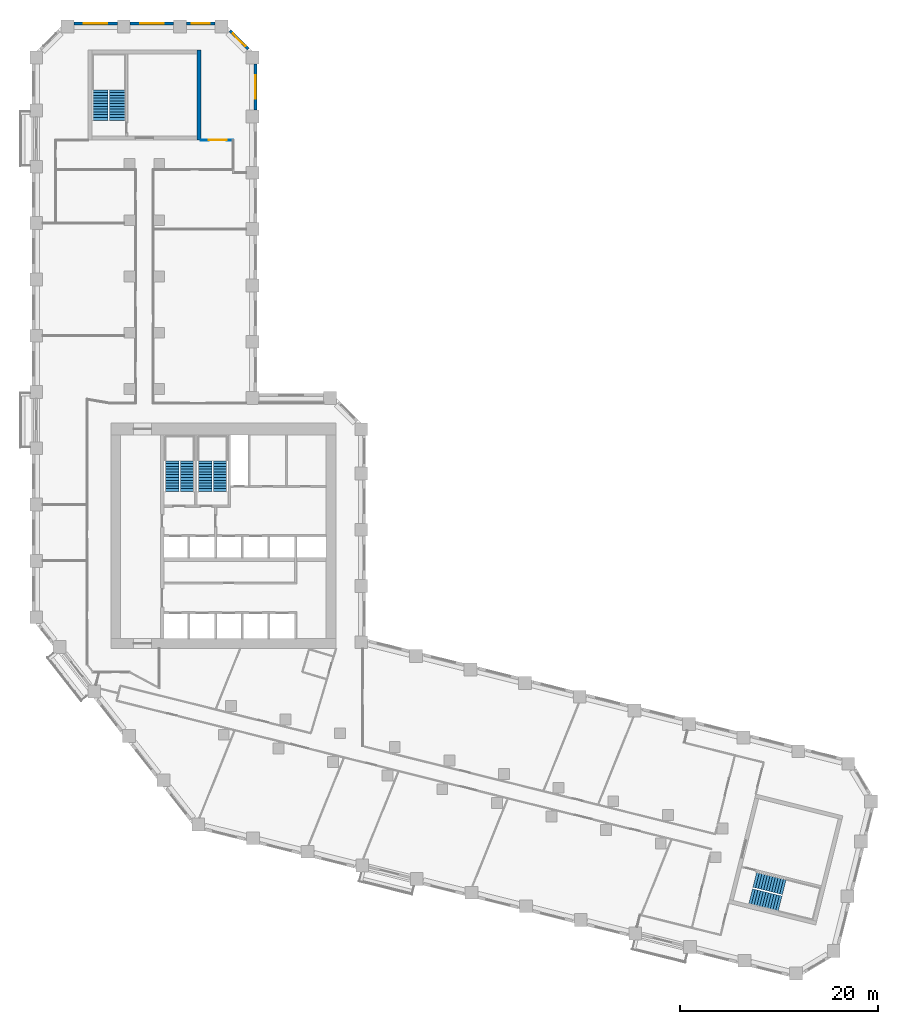
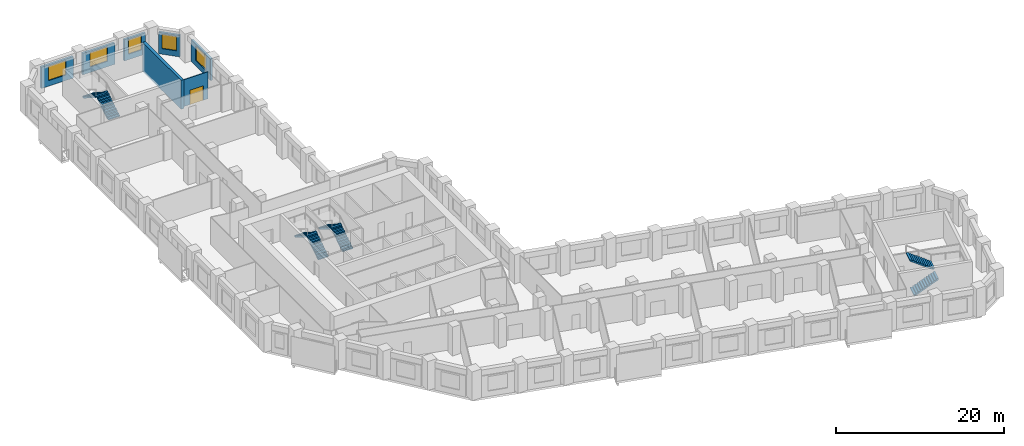
# One storey, part 9 of 10: 8 stair flights, 7 walls, 5 windows, 1 door, 6 openings, 4 elements without a shape of their own.
"""IFC4 building model written with IfcOpenShell, lengths in metres."""

from ifc_helpers import new_model, si_unit, direction, frame, frame_2d, origin, place, context, subcontext, project, spatial, polyline, rectangle, outline, extrude, material, layer, layer_set, type_object, element, fill, aggregate, save


model = new_model("IFC4")

# Units and contexts
model_context = context("Model", 3, precision=1e-05, world=origin(), true_north=direction((0.0, 1.0)))
body_context = subcontext(model_context, "Body", "Model", "MODEL_VIEW")
ifc_project = project(units=[si_unit("LENGTHUNIT", "METRE"), si_unit("AREAUNIT", "SQUARE_METRE"), si_unit("VOLUMEUNIT", "CUBIC_METRE"), si_unit("PLANEANGLEUNIT", "RADIAN"), si_unit("MASSUNIT", "GRAM", prefix="KILO")], contexts=[model_context])

# Site, building, storey
site_placement = place(None, origin())
site = spatial("IfcSite", under=ifc_project, at=site_placement, CompositionType="ELEMENT")
building_placement = place(site_placement, origin())
building = spatial("IfcBuilding", under=site, at=building_placement, Name="Meshkara Civic Tower", CompositionType="ELEMENT")
storey_placement = place(building_placement, frame((0.0, 0.0, 126.60009765625)))
storey = spatial("IfcBuildingStorey", under=building, at=storey_placement, Name="L28", CompositionType="ELEMENT", Elevation=126.60009765625)

# Wall, opening, door
ifc_material_1 = material(Name="Corridor wall 100")
ifc_layer_1 = layer(ifc_material_1, 0.10009765625)
ifc_layer_set_1 = layer_set([ifc_layer_1], Name="Corridor wall 100")
wall_type_1 = type_object("IfcWallType", Name="Corridor wall 100", PredefinedType="PARTITIONING", material=ifc_layer_set_1)
wall_1_placement = place(storey_placement, frame((20.39990234375, 65.570068359375, 0.0), z_axis=(0.0, 0.0, 1.0), x_axis=(-1.0, 0.0, 0.0)))
wall_1 = element("IfcWall", 1, at=wall_1_placement, inside=storey, type_object=wall_type_1, Name="L28-W018", PredefinedType="PARTITIONING", context=body_context, shape_type="SweptSolid", body=[
    extrude(rectangle(XDim=3.2998046875, YDim=0.10009765625, at=frame_2d((1.64990234375, 0.0))), origin(), (0.0, 0.0, 1.0), 3.89990234375),
])
opening_1_placement = place(wall_1_placement, frame((0.679931640625, 0.0, 0.0)))
opening_1 = element("IfcOpeningElement", 2, at=opening_1_placement, cuts=wall_1, Name="Opening L28-D026", PredefinedType="OPENING", context=body_context, shape_type="SweptSolid", body=[
    extrude(rectangle(XDim=1.800048828125, YDim=2.10009765625, at=frame_2d((0.89990234375, 1.050048828125))), frame((0.0, 0.06005859375, 0.0), z_axis=(0.0, -1.0, 0.0), x_axis=(1.0, 0.0, 0.0)), (0.0, 0.0, 1.0), 0.1201171875),
])
ifc_material_2 = material(Name="Door pair 1800 x 2100")
door_type = type_object("IfcDoorType", Name="Door pair 1800 x 2100", OperationType="SINGLE_SWING_LEFT", PredefinedType="DOOR", material=ifc_material_2)
door_placement = place(opening_1_placement, origin())
door = element("IfcDoor", 3, at=door_placement, inside=storey, type_object=door_type, Name="L28-D026", OperationType="DOUBLE_DOOR_SINGLE_SWING", OverallHeight=2.10009765625, OverallWidth=1.800048828125, PredefinedType="DOOR", context=body_context, shape_type="SweptSolid", body=[
    extrude(rectangle(XDim=1.800048828125, YDim=2.10009765625, at=frame_2d((0.89990234375, 1.050048828125))), frame((0.0, 0.02490234375, 0.0), z_axis=(0.0, -1.0, 0.0), x_axis=(1.0, 0.0, 0.0)), (0.0, 0.0, 1.0), 0.050048828125),
])
fill(opening_1, door)

# Wall, opening, window
ifc_material_3 = material(Name="Insulated infill panel with bronze anodised aluminium cladding", Category="aluminium")
ifc_layer_2 = layer(ifc_material_3, 0.300048828125)
ifc_layer_set_2 = layer_set([ifc_layer_2], Name="EXTERNAL INFILL WALL 300")
wall_type_2 = type_object("IfcWallType", Name="EXTERNAL INFILL WALL 300", PredefinedType="SOLIDWALL", material=ifc_layer_set_2)
wall_2_placement = place(storey_placement, frame((22.64990234375, 68.60009765625, 0.0), z_axis=(0.0, 0.0, 1.0), x_axis=(0.0, 1.0, 0.0)))
wall_2 = element("IfcWall", 4, at=wall_2_placement, inside=storey, type_object=wall_type_2, Name="External wall", PredefinedType="SOLIDWALL", context=body_context, shape_type="SweptSolid", body=[
    extrude(rectangle(XDim=4.663818359375, YDim=0.300048828125, at=frame_2d((2.33203125, 0.0))), origin(), (0.0, 0.0, 1.0), 3.099853515625),
])
opening_2_placement = place(wall_2_placement, frame((1.132080078125, 0.0, 0.800048828125)))
opening_2 = element("IfcOpeningElement", 5, at=opening_2_placement, cuts=wall_2, Name="Opening W7", PredefinedType="OPENING", context=body_context, shape_type="SweptSolid", body=[
    extrude(rectangle(XDim=2.39990234375, YDim=2.10009765625, at=frame_2d((1.199951171875, 1.050048828125))), frame((0.0, 0.159912109375, 0.0), z_axis=(0.0, -1.0, 0.0), x_axis=(1.0, 0.0, 0.0)), (0.0, 0.0, 1.0), 0.320068359375),
])
ifc_material_4 = material(Name="Tinted double glazing", Category="glass")
window_type_1 = type_object("IfcWindowType", Name="WINDOW 2400x2100", PartitioningType="DOUBLE_PANEL_VERTICAL", PredefinedType="WINDOW", material=ifc_material_4)
window_1_placement = place(opening_2_placement, origin())
window_1 = element("IfcWindow", 6, at=window_1_placement, inside=storey, type_object=window_type_1, Name="Window", OverallHeight=2.10009765625, OverallWidth=2.39990234375, PartitioningType="DOUBLE_PANEL_VERTICAL", PredefinedType="WINDOW", context=body_context, shape_type="SweptSolid", body=[
    extrude(rectangle(XDim=2.39990234375, YDim=2.10009765625, at=frame_2d((1.199951171875, 1.050048828125))), frame((0.0, 0.030029296875, 0.0), z_axis=(0.0, -1.0, 0.0), x_axis=(1.0, 0.0, 0.0)), (0.0, 0.0, 1.0), 0.06005859375),
])
fill(opening_2, window_1)

wall_3_placement = place(storey_placement, frame((21.912109375, 74.77587890625, 0.0), z_axis=(0.0, 0.0, 1.0), x_axis=(-0.707106781187, 0.707106781187, 0.0)))
wall_3 = element("IfcWall", 7, at=wall_3_placement, inside=storey, type_object=wall_type_2, Name="External wall", PredefinedType="SOLIDWALL", context=body_context, shape_type="SweptSolid", body=[
    extrude(rectangle(XDim=2.625, YDim=0.300048828125, at=frame_2d((1.3125, 0.0))), origin(), (0.0, 0.0, 1.0), 3.099853515625),
])
opening_3_placement = place(wall_3_placement, frame((0.412109375, 0.0, 0.800048828125)))
opening_3 = element("IfcOpeningElement", 8, at=opening_3_placement, cuts=wall_3, Name="Opening W9", PredefinedType="OPENING", context=body_context, shape_type="SweptSolid", body=[
    extrude(rectangle(XDim=1.800048828125, YDim=2.10009765625, at=frame_2d((0.89990234375, 1.050048828125))), frame((0.0, 0.159912109375, 0.0), z_axis=(0.0, -1.0, 0.0), x_axis=(1.0, 0.0, 0.0)), (0.0, 0.0, 1.0), 0.320068359375),
])
ifc_material_5 = material(Name="Tinted double glazing", Category="glass")
window_type_2 = type_object("IfcWindowType", Name="WINDOW 1800x2100", PartitioningType="DOUBLE_PANEL_VERTICAL", PredefinedType="WINDOW", material=ifc_material_5)
window_2_placement = place(opening_3_placement, origin())
window_2 = element("IfcWindow", 9, at=window_2_placement, inside=storey, type_object=window_type_2, Name="Window", OverallHeight=2.10009765625, OverallWidth=1.800048828125, PartitioningType="DOUBLE_PANEL_VERTICAL", PredefinedType="WINDOW", context=body_context, shape_type="SweptSolid", body=[
    extrude(rectangle(XDim=1.800048828125, YDim=2.10009765625, at=frame_2d((0.89990234375, 1.050048828125))), frame((0.0, 0.030029296875, 0.0), z_axis=(0.0, -1.0, 0.0), x_axis=(1.0, 0.0, 0.0)), (0.0, 0.0, 1.0), 0.06005859375),
])
fill(opening_3, window_2)

wall_4_placement = place(storey_placement, frame((18.5439453125, 77.3701171875, 0.0), z_axis=(0.0, 0.0, 1.0), x_axis=(-1.0, 0.0, 0.0)))
wall_4 = element("IfcWall", 10, at=wall_4_placement, inside=storey, type_object=wall_type_2, Name="External wall", PredefinedType="SOLIDWALL", context=body_context, shape_type="SweptSolid", body=[
    extrude(rectangle(XDim=2.887939453125, YDim=0.300048828125, at=frame_2d((1.44384765625, 0.0))), origin(), (0.0, 0.0, 1.0), 3.099853515625),
])
opening_4_placement = place(wall_4_placement, frame((0.5439453125, 0.0, 0.800048828125)))
opening_4 = element("IfcOpeningElement", 11, at=opening_4_placement, cuts=wall_4, Name="Opening W9", PredefinedType="OPENING", context=body_context, shape_type="SweptSolid", body=[
    extrude(rectangle(XDim=1.800048828125, YDim=2.10009765625, at=frame_2d((0.89990234375, 1.050048828125))), frame((0.0, 0.159912109375, 0.0), z_axis=(0.0, -1.0, 0.0), x_axis=(1.0, 0.0, 0.0)), (0.0, 0.0, 1.0), 0.320068359375),
])
window_3_placement = place(opening_4_placement, origin())
window_3 = element("IfcWindow", 12, at=window_3_placement, inside=storey, type_object=window_type_2, Name="Window", OverallHeight=2.10009765625, OverallWidth=1.800048828125, PartitioningType="DOUBLE_PANEL_VERTICAL", PredefinedType="WINDOW", context=body_context, shape_type="SweptSolid", body=[
    extrude(rectangle(XDim=1.800048828125, YDim=2.10009765625, at=frame_2d((0.89990234375, 1.050048828125))), frame((0.0, 0.030029296875, 0.0), z_axis=(0.0, -1.0, 0.0), x_axis=(1.0, 0.0, 0.0)), (0.0, 0.0, 1.0), 0.06005859375),
])
fill(opening_4, window_3)

wall_5_placement = place(storey_placement, frame((14.35595703125, 77.3701171875, 0.0), z_axis=(0.0, 0.0, 1.0), x_axis=(-1.0, 0.0, 0.0)))
wall_5 = element("IfcWall", 13, at=wall_5_placement, inside=storey, type_object=wall_type_2, Name="External wall", PredefinedType="SOLIDWALL", context=body_context, shape_type="SweptSolid", body=[
    extrude(rectangle(XDim=4.39990234375, YDim=0.300048828125, at=frame_2d((2.199951171875, 0.0))), origin(), (0.0, 0.0, 1.0), 3.099853515625),
])
opening_5_placement = place(wall_5_placement, frame((1.0, 0.0, 0.800048828125)))
opening_5 = element("IfcOpeningElement", 14, at=opening_5_placement, cuts=wall_5, Name="Opening W7", PredefinedType="OPENING", context=body_context, shape_type="SweptSolid", body=[
    extrude(rectangle(XDim=2.39990234375, YDim=2.10009765625, at=frame_2d((1.199951171875, 1.050048828125))), frame((0.0, 0.159912109375, 0.0), z_axis=(0.0, -1.0, 0.0), x_axis=(1.0, 0.0, 0.0)), (0.0, 0.0, 1.0), 0.320068359375),
])
window_4_placement = place(opening_5_placement, origin())
window_4 = element("IfcWindow", 15, at=window_4_placement, inside=storey, type_object=window_type_1, Name="Window", OverallHeight=2.10009765625, OverallWidth=2.39990234375, PartitioningType="DOUBLE_PANEL_VERTICAL", PredefinedType="WINDOW", context=body_context, shape_type="SweptSolid", body=[
    extrude(rectangle(XDim=2.39990234375, YDim=2.10009765625, at=frame_2d((1.199951171875, 1.050048828125))), frame((0.0, 0.030029296875, 0.0), z_axis=(0.0, -1.0, 0.0), x_axis=(1.0, 0.0, 0.0)), (0.0, 0.0, 1.0), 0.06005859375),
])
fill(opening_5, window_4)

wall_6_placement = place(storey_placement, frame((8.656005859375, 77.3701171875, 0.0), z_axis=(0.0, 0.0, 1.0), x_axis=(-1.0, 0.0, 0.0)))
wall_6 = element("IfcWall", 16, at=wall_6_placement, inside=storey, type_object=wall_type_2, Name="External wall", PredefinedType="SOLIDWALL", context=body_context, shape_type="SweptSolid", body=[
    extrude(rectangle(XDim=4.39990234375, YDim=0.300048828125, at=frame_2d((2.199951171875, 0.0))), origin(), (0.0, 0.0, 1.0), 3.099853515625),
])
opening_6_placement = place(wall_6_placement, frame((1.0, 0.0, 0.800048828125)))
opening_6 = element("IfcOpeningElement", 17, at=opening_6_placement, cuts=wall_6, Name="Opening W7", PredefinedType="OPENING", context=body_context, shape_type="SweptSolid", body=[
    extrude(rectangle(XDim=2.39990234375, YDim=2.10009765625, at=frame_2d((1.199951171875, 1.050048828125))), frame((0.0, 0.159912109375, 0.0), z_axis=(0.0, -1.0, 0.0), x_axis=(1.0, 0.0, 0.0)), (0.0, 0.0, 1.0), 0.320068359375),
])
window_5_placement = place(opening_6_placement, origin())
window_5 = element("IfcWindow", 18, at=window_5_placement, inside=storey, type_object=window_type_1, Name="Window", OverallHeight=2.10009765625, OverallWidth=2.39990234375, PartitioningType="DOUBLE_PANEL_VERTICAL", PredefinedType="WINDOW", context=body_context, shape_type="SweptSolid", body=[
    extrude(rectangle(XDim=2.39990234375, YDim=2.10009765625, at=frame_2d((1.199951171875, 1.050048828125))), frame((0.0, 0.030029296875, 0.0), z_axis=(0.0, -1.0, 0.0), x_axis=(1.0, 0.0, 0.0)), (0.0, 0.0, 1.0), 0.06005859375),
])
fill(opening_6, window_5)

# Wall
ifc_material_6 = material(Name="Concrete C70", Category="concrete")
ifc_layer_3 = layer(ifc_material_6, 0.39990234375)
ifc_layer_set_3 = layer_set([ifc_layer_3], Name="End core ring wall 400 C70")
wall_type_3 = type_object("IfcWallType", Name="End core ring wall 400 C70", PredefinedType="SHEAR", material=ifc_layer_set_3)
wall_7_placement = place(storey_placement, frame((16.89990234375, 65.570068359375, -0.300048828125), z_axis=(0.0, 0.0, 1.0), x_axis=(0.0, 1.0, 0.0)))
element("IfcWall", 19, at=wall_7_placement, inside=storey, type_object=wall_type_3, Name="L28-C027", PredefinedType="SHEAR", context=body_context, shape_type="SweptSolid", body=[
    extrude(rectangle(XDim=9.099853515625, YDim=0.39990234375, at=frame_2d((4.5498046875, 0.0))), origin(), (0.0, 0.0, 1.0), 4.199951171875),
])

# Stair, stair flights
ifc_material_7 = material(Name="Precast concrete C40/50", Category="concrete")
stair_type_1 = type_object("IfcStairType", Name="Exit stair half-turn 24 risers 1600 precast", PredefinedType="HALF_TURN_STAIR", material=ifc_material_7)
stair_1_placement = place(storey_placement, origin())
stair_1 = element("IfcStair", 20, at=stair_1_placement, inside=storey, type_object=stair_type_1, Name="L28 exit stair A from L20", PredefinedType="HALF_TURN_STAIR")
ifc_material_8 = material(Name="Precast concrete C40/50", Category="concrete")
stair_flight_type_1 = type_object("IfcStairFlightType", Name="Exit stair flight 12 risers 1600 precast", PredefinedType="STRAIGHT", material=ifc_material_8)
stair_flight_1_placement = place(storey_placement, frame((8.675048828125, 67.570068359375, 0.0), z_axis=(0.0, 0.0, 1.0), x_axis=(0.0, 1.0, 0.0)))
stair_flight_1 = element("IfcStairFlight", 21, at=stair_flight_1_placement, type_object=stair_flight_type_1, Name="ESA2 flight 1", NumberOfRisers=12, NumberOfTreads=11, PredefinedType="STRAIGHT", RiserHeight=0.175, TreadLength=0.28, context=body_context, shape_type="SweptSolid", body=[
    extrude(outline(polyline([(0.0, 0.0), (0.0, 0.175048828125), (0.280029296875, 0.175048828125), (0.280029296875, 0.35009765625), (0.56005859375, 0.35009765625), (0.56005859375, 0.52490234375), (0.840087890625, 0.52490234375), (0.840087890625, 0.699951171875), (1.1201171875, 0.699951171875), (1.1201171875, 0.875), (1.39990234375, 0.875), (1.39990234375, 1.050048828125), (1.679931640625, 1.050048828125), (1.679931640625, 1.22509765625), (1.9599609375, 1.22509765625), (1.9599609375, 1.39990234375), (2.239990234375, 1.39990234375), (2.239990234375, 1.574951171875), (2.52001953125, 1.574951171875), (2.52001953125, 1.75), (2.800048828125, 1.75), (2.800048828125, 1.925048828125), (3.080078125, 1.925048828125), (3.080078125, 2.10009765625), (3.080078125, 1.748291015625), (0.28271484375, 0.0), (0.0, 0.0)])), frame((0.0, 0.800048828125, 0.0), z_axis=(0.0, -1.0, 0.0), x_axis=(1.0, 0.0, 0.0)), (0.0, 0.0, 1.0), 1.60009765625),
])
stair_flight_2_placement = place(storey_placement, frame((6.925048828125, 70.64990234375, 2.099853515625), z_axis=(0.0, 0.0, 1.0), x_axis=(0.0, -1.0, 0.0)))
stair_flight_2 = element("IfcStairFlight", 22, at=stair_flight_2_placement, type_object=stair_flight_type_1, Name="ESA2 flight 2", NumberOfRisers=12, NumberOfTreads=11, PredefinedType="STRAIGHT", RiserHeight=0.175, TreadLength=0.28, context=body_context, shape_type="SweptSolid", body=[
    extrude(outline(polyline([(0.0, 0.0), (0.0, 0.175048828125), (0.280029296875, 0.175048828125), (0.280029296875, 0.35009765625), (0.56005859375, 0.35009765625), (0.56005859375, 0.52490234375), (0.840087890625, 0.52490234375), (0.840087890625, 0.699951171875), (1.1201171875, 0.699951171875), (1.1201171875, 0.875), (1.39990234375, 0.875), (1.39990234375, 1.050048828125), (1.679931640625, 1.050048828125), (1.679931640625, 1.22509765625), (1.9599609375, 1.22509765625), (1.9599609375, 1.39990234375), (2.239990234375, 1.39990234375), (2.239990234375, 1.574951171875), (2.52001953125, 1.574951171875), (2.52001953125, 1.75), (2.800048828125, 1.75), (2.800048828125, 1.925048828125), (3.080078125, 1.925048828125), (3.080078125, 2.10009765625), (3.080078125, 1.748291015625), (0.28271484375, 0.0), (0.0, 0.0)])), frame((0.0, 0.800048828125, 0.0), z_axis=(0.0, -1.0, 0.0), x_axis=(1.0, 0.0, 0.0)), (0.0, 0.0, 1.0), 1.60009765625),
])
aggregate(stair_1, [stair_flight_1, stair_flight_2])

stair_2_placement = place(storey_placement, origin())
stair_2 = element("IfcStair", 23, at=stair_2_placement, inside=storey, type_object=stair_type_1, Name="L28 exit stair B from L20", PredefinedType="HALF_TURN_STAIR")
stair_flight_3_placement = place(storey_placement, frame((72.7685546875, -11.00634765625, 0.0), z_axis=(0.0, 0.0, 1.0), x_axis=(0.970260066579, -0.242064873955, 0.0)))
stair_flight_3 = element("IfcStairFlight", 24, at=stair_flight_3_placement, type_object=stair_flight_type_1, Name="ESB2 flight 1", NumberOfRisers=12, NumberOfTreads=11, PredefinedType="STRAIGHT", RiserHeight=0.175, TreadLength=0.28, context=body_context, shape_type="SweptSolid", body=[
    extrude(outline(polyline([(0.0, 0.0), (0.0, 0.175048828125), (0.280029296875, 0.175048828125), (0.280029296875, 0.35009765625), (0.56005859375, 0.35009765625), (0.56005859375, 0.52490234375), (0.840087890625, 0.52490234375), (0.840087890625, 0.699951171875), (1.1201171875, 0.699951171875), (1.1201171875, 0.875), (1.39990234375, 0.875), (1.39990234375, 1.050048828125), (1.679931640625, 1.050048828125), (1.679931640625, 1.22509765625), (1.9599609375, 1.22509765625), (1.9599609375, 1.39990234375), (2.239990234375, 1.39990234375), (2.239990234375, 1.574951171875), (2.52001953125, 1.574951171875), (2.52001953125, 1.75), (2.800048828125, 1.75), (2.800048828125, 1.925048828125), (3.080078125, 1.925048828125), (3.080078125, 2.10009765625), (3.080078125, 1.748291015625), (0.28271484375, 0.0), (0.0, 0.0)])), frame((0.0, 0.800048828125, 0.0), z_axis=(0.0, -1.0, 0.0), x_axis=(1.0, 0.0, 0.0)), (0.0, 0.0, 1.0), 1.60009765625),
])
stair_flight_4_placement = place(storey_placement, frame((76.1806640625, -10.053955078125, 2.099853515625), z_axis=(0.0, 0.0, 1.0), x_axis=(-0.970260066579, 0.242064873955, 0.0)))
stair_flight_4 = element("IfcStairFlight", 25, at=stair_flight_4_placement, type_object=stair_flight_type_1, Name="ESB2 flight 2", NumberOfRisers=12, NumberOfTreads=11, PredefinedType="STRAIGHT", RiserHeight=0.175, TreadLength=0.28, context=body_context, shape_type="SweptSolid", body=[
    extrude(outline(polyline([(0.0, 0.0), (0.0, 0.175048828125), (0.280029296875, 0.175048828125), (0.280029296875, 0.35009765625), (0.56005859375, 0.35009765625), (0.56005859375, 0.52490234375), (0.840087890625, 0.52490234375), (0.840087890625, 0.699951171875), (1.1201171875, 0.699951171875), (1.1201171875, 0.875), (1.39990234375, 0.875), (1.39990234375, 1.050048828125), (1.679931640625, 1.050048828125), (1.679931640625, 1.22509765625), (1.9599609375, 1.22509765625), (1.9599609375, 1.39990234375), (2.239990234375, 1.39990234375), (2.239990234375, 1.574951171875), (2.52001953125, 1.574951171875), (2.52001953125, 1.75), (2.800048828125, 1.75), (2.800048828125, 1.925048828125), (3.080078125, 1.925048828125), (3.080078125, 2.10009765625), (3.080078125, 1.748291015625), (0.28271484375, 0.0), (0.0, 0.0)])), frame((0.0, 0.800048828125, 0.0), z_axis=(0.0, -1.0, 0.0), x_axis=(1.0, 0.0, 0.0)), (0.0, 0.0, 1.0), 1.60009765625),
])
aggregate(stair_2, [stair_flight_3, stair_flight_4])

ifc_material_9 = material(Name="Precast concrete C40/50", Category="concrete")
stair_type_2 = type_object("IfcStairType", Name="Exit stair half-turn 24 risers precast", PredefinedType="HALF_TURN_STAIR", material=ifc_material_9)
stair_3_placement = place(storey_placement, origin())
stair_3 = element("IfcStair", 26, at=stair_3_placement, inside=storey, type_object=stair_type_2, Name="L28 exit stair 1", PredefinedType="HALF_TURN_STAIR")
ifc_material_10 = material(Name="Precast concrete C40/50", Category="concrete")
stair_flight_type_2 = type_object("IfcStairFlightType", Name="Exit stair flight 12 risers precast", PredefinedType="STRAIGHT", material=ifc_material_10)
stair_flight_5_placement = place(storey_placement, frame((15.72509765625, 30.0, 0.0), z_axis=(0.0, 0.0, 1.0), x_axis=(0.0, 1.0, 0.0)))
stair_flight_5 = element("IfcStairFlight", 27, at=stair_flight_5_placement, type_object=stair_flight_type_2, Name="ST1 flight 1", NumberOfRisers=12, NumberOfTreads=11, PredefinedType="STRAIGHT", RiserHeight=0.175, TreadLength=0.28, context=body_context, shape_type="SweptSolid", body=[
    extrude(outline(polyline([(0.0, 0.0), (0.0, 0.175048828125), (0.280029296875, 0.175048828125), (0.280029296875, 0.35009765625), (0.56005859375, 0.35009765625), (0.56005859375, 0.52490234375), (0.840087890625, 0.52490234375), (0.840087890625, 0.699951171875), (1.1201171875, 0.699951171875), (1.1201171875, 0.875), (1.39990234375, 0.875), (1.39990234375, 1.050048828125), (1.679931640625, 1.050048828125), (1.679931640625, 1.22509765625), (1.9599609375, 1.22509765625), (1.9599609375, 1.39990234375), (2.239990234375, 1.39990234375), (2.239990234375, 1.574951171875), (2.52001953125, 1.574951171875), (2.52001953125, 1.75), (2.800048828125, 1.75), (2.800048828125, 1.925048828125), (3.080078125, 1.925048828125), (3.080078125, 2.10009765625), (3.080078125, 1.748291015625), (0.28271484375, 0.0), (0.0, 0.0)])), frame((0.0, 0.699951171875, 0.0), z_axis=(0.0, -1.0, 0.0), x_axis=(1.0, 0.0, 0.0)), (0.0, 0.0, 1.0), 1.39990234375),
])
stair_flight_6_placement = place(storey_placement, frame((14.175048828125, 33.080078125, 2.099853515625), z_axis=(0.0, 0.0, 1.0), x_axis=(0.0, -1.0, 0.0)))
stair_flight_6 = element("IfcStairFlight", 28, at=stair_flight_6_placement, type_object=stair_flight_type_2, Name="ST1 flight 2", NumberOfRisers=12, NumberOfTreads=11, PredefinedType="STRAIGHT", RiserHeight=0.175, TreadLength=0.28, context=body_context, shape_type="SweptSolid", body=[
    extrude(outline(polyline([(0.0, 0.0), (0.0, 0.175048828125), (0.280029296875, 0.175048828125), (0.280029296875, 0.35009765625), (0.56005859375, 0.35009765625), (0.56005859375, 0.52490234375), (0.840087890625, 0.52490234375), (0.840087890625, 0.699951171875), (1.1201171875, 0.699951171875), (1.1201171875, 0.875), (1.39990234375, 0.875), (1.39990234375, 1.050048828125), (1.679931640625, 1.050048828125), (1.679931640625, 1.22509765625), (1.9599609375, 1.22509765625), (1.9599609375, 1.39990234375), (2.239990234375, 1.39990234375), (2.239990234375, 1.574951171875), (2.52001953125, 1.574951171875), (2.52001953125, 1.75), (2.800048828125, 1.75), (2.800048828125, 1.925048828125), (3.080078125, 1.925048828125), (3.080078125, 2.10009765625), (3.080078125, 1.748291015625), (0.28271484375, 0.0), (0.0, 0.0)])), frame((0.0, 0.699951171875, 0.0), z_axis=(0.0, -1.0, 0.0), x_axis=(1.0, 0.0, 0.0)), (0.0, 0.0, 1.0), 1.39990234375),
])
aggregate(stair_3, [stair_flight_5, stair_flight_6])

stair_4_placement = place(storey_placement, origin())
stair_4 = element("IfcStair", 29, at=stair_4_placement, inside=storey, type_object=stair_type_2, Name="L28 exit stair 2", PredefinedType="HALF_TURN_STAIR")
stair_flight_7_placement = place(storey_placement, frame((19.074951171875, 30.0, 0.0), z_axis=(0.0, 0.0, 1.0), x_axis=(0.0, 1.0, 0.0)))
stair_flight_7 = element("IfcStairFlight", 30, at=stair_flight_7_placement, type_object=stair_flight_type_2, Name="ST2 flight 1", NumberOfRisers=12, NumberOfTreads=11, PredefinedType="STRAIGHT", RiserHeight=0.175, TreadLength=0.28, context=body_context, shape_type="SweptSolid", body=[
    extrude(outline(polyline([(0.0, 0.0), (0.0, 0.175048828125), (0.280029296875, 0.175048828125), (0.280029296875, 0.35009765625), (0.56005859375, 0.35009765625), (0.56005859375, 0.52490234375), (0.840087890625, 0.52490234375), (0.840087890625, 0.699951171875), (1.1201171875, 0.699951171875), (1.1201171875, 0.875), (1.39990234375, 0.875), (1.39990234375, 1.050048828125), (1.679931640625, 1.050048828125), (1.679931640625, 1.22509765625), (1.9599609375, 1.22509765625), (1.9599609375, 1.39990234375), (2.239990234375, 1.39990234375), (2.239990234375, 1.574951171875), (2.52001953125, 1.574951171875), (2.52001953125, 1.75), (2.800048828125, 1.75), (2.800048828125, 1.925048828125), (3.080078125, 1.925048828125), (3.080078125, 2.10009765625), (3.080078125, 1.748291015625), (0.28271484375, 0.0), (0.0, 0.0)])), frame((0.0, 0.699951171875, 0.0), z_axis=(0.0, -1.0, 0.0), x_axis=(1.0, 0.0, 0.0)), (0.0, 0.0, 1.0), 1.39990234375),
])
stair_flight_8_placement = place(storey_placement, frame((17.52490234375, 33.080078125, 2.099853515625), z_axis=(0.0, 0.0, 1.0), x_axis=(0.0, -1.0, 0.0)))
stair_flight_8 = element("IfcStairFlight", 31, at=stair_flight_8_placement, type_object=stair_flight_type_2, Name="ST2 flight 2", NumberOfRisers=12, NumberOfTreads=11, PredefinedType="STRAIGHT", RiserHeight=0.175, TreadLength=0.28, context=body_context, shape_type="SweptSolid", body=[
    extrude(outline(polyline([(0.0, 0.0), (0.0, 0.175048828125), (0.280029296875, 0.175048828125), (0.280029296875, 0.35009765625), (0.56005859375, 0.35009765625), (0.56005859375, 0.52490234375), (0.840087890625, 0.52490234375), (0.840087890625, 0.699951171875), (1.1201171875, 0.699951171875), (1.1201171875, 0.875), (1.39990234375, 0.875), (1.39990234375, 1.050048828125), (1.679931640625, 1.050048828125), (1.679931640625, 1.22509765625), (1.9599609375, 1.22509765625), (1.9599609375, 1.39990234375), (2.239990234375, 1.39990234375), (2.239990234375, 1.574951171875), (2.52001953125, 1.574951171875), (2.52001953125, 1.75), (2.800048828125, 1.75), (2.800048828125, 1.925048828125), (3.080078125, 1.925048828125), (3.080078125, 2.10009765625), (3.080078125, 1.748291015625), (0.28271484375, 0.0), (0.0, 0.0)])), frame((0.0, 0.699951171875, 0.0), z_axis=(0.0, -1.0, 0.0), x_axis=(1.0, 0.0, 0.0)), (0.0, 0.0, 1.0), 1.39990234375),
])
aggregate(stair_4, [stair_flight_7, stair_flight_8])

save(model, "model.ifc")
